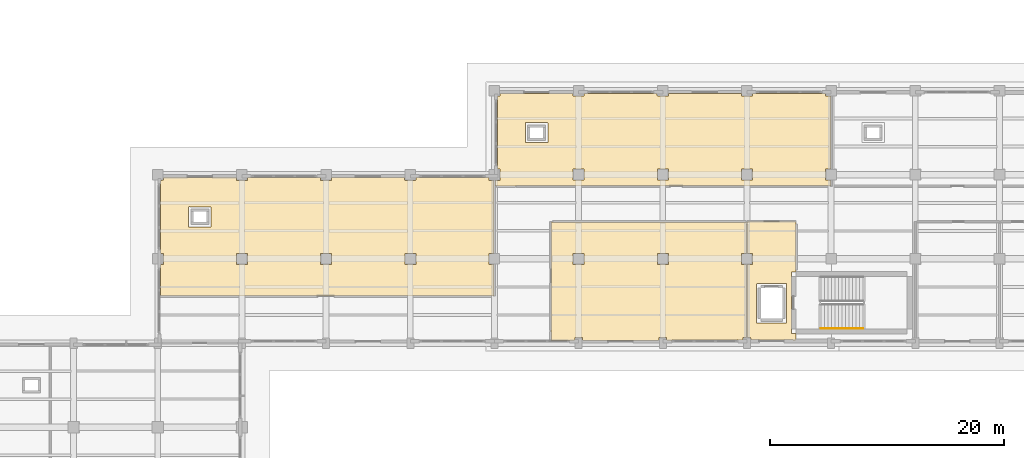
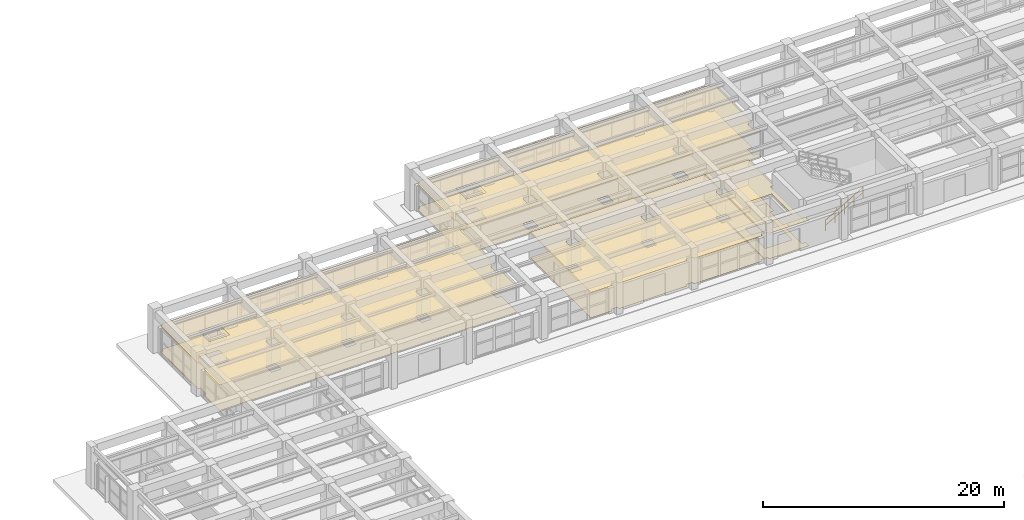
# One storey, part 60 of 64: 8 coverings, 1 railing.
"""IFC4 building model written with IfcOpenShell, lengths in metres."""

from ifc_helpers import new_model, si_unit, direction, frame, origin, origin_2d, place, context, subcontext, project, spatial, polyline, circle, outline, extrude, material, layer, layer_set, type_object, element, save


model = new_model("IFC4")

# Units and contexts
model_context = context("Model", 3, precision=1e-05, world=origin(), true_north=direction((0.0, 1.0)))
body_context = subcontext(model_context, "Body", "Model", "MODEL_VIEW")
ifc_project = project(units=[si_unit("LENGTHUNIT", "METRE"), si_unit("AREAUNIT", "SQUARE_METRE"), si_unit("VOLUMEUNIT", "CUBIC_METRE"), si_unit("PLANEANGLEUNIT", "RADIAN"), si_unit("MASSUNIT", "GRAM", prefix="KILO")], contexts=[model_context])

# Site, building, storey
site_placement = place(None, origin())
site = spatial("IfcSite", under=ifc_project, at=site_placement, CompositionType="ELEMENT")
building_placement = place(site_placement, origin())
building = spatial("IfcBuilding", under=site, at=building_placement, Name="Solenvale Faculty of Natural Sciences", CompositionType="ELEMENT")
storey_placement = place(building_placement, origin())
storey = spatial("IfcBuildingStorey", under=building, at=storey_placement, Name="L00", CompositionType="ELEMENT", Elevation=0.0)

# Coverings
ifc_material_1 = material(Name="Acoustic mineral-timber ceiling", Category="wood")
ifc_layer_1 = layer(ifc_material_1, 0.02490234375)
ifc_layer_set_1 = layer_set([ifc_layer_1], Name="Acoustic mineral-timber ceiling")
covering_type_1 = type_object("IfcCoveringType", Name="COV-CEIL-AC25", PredefinedType="CEILING", material=ifc_layer_set_1)
covering_1_placement = place(storey_placement, frame((0.0, 0.0, 2.574951171875)))
element("IfcCovering", 1, at=covering_1_placement, inside=storey, type_object=covering_type_1, Name="L00 Firefighting Lobby C4 Acoustic Ceiling", PredefinedType="CEILING", context=body_context, shape_type="SweptSolid", body=[
    extrude(outline(polyline([(104.97998046875, 99.7099609375), (104.952880859375, 99.679931640625), (104.64501953125, 99.679931640625), (104.6201171875, 99.64990234375), (104.6201171875, 94.447998046875), (104.64599609375, 94.419921875), (104.949951171875, 94.419921875), (104.97607421875, 94.404052734375), (104.97509765625, 93.85302734375), (104.949951171875, 93.840087890625), (101.137939453125, 93.844970703125), (101.125, 93.866943359375), (101.12109375, 94.072998046875), (100.846923828125, 94.074951171875), (100.820068359375, 94.10205078125), (100.820068359375, 100.294921875), (100.846923828125, 100.324951171875), (101.27392578125, 100.3310546875), (101.27490234375, 101.263916015625), (101.263916015625, 101.27490234375), (100.846923828125, 101.27490234375), (100.821044921875, 101.299072265625), (100.820068359375, 103.949951171875), (100.8291015625, 103.970947265625), (100.85009765625, 103.97998046875), (104.949951171875, 103.97998046875), (104.970947265625, 103.970947265625), (104.97998046875, 103.949951171875), (104.97998046875, 99.7099609375)]), holes=[polyline([(104.179931640625, 98.652099609375), (104.169921875, 98.672119140625), (104.14990234375, 98.679931640625), (101.64990234375, 98.679931640625), (101.6259765625, 98.66796875), (101.6201171875, 95.35009765625), (101.632080078125, 95.325927734375), (104.14990234375, 95.320068359375), (104.174072265625, 95.33203125), (104.179931640625, 98.652099609375)])]), origin(), (0.0, 0.0, 1.0), 0.025146484375),
])
covering_2_placement = place(storey_placement, frame((0.0, 0.0, 2.574951171875)))
element("IfcCovering", 2, at=covering_2_placement, inside=storey, type_object=covering_type_1, Name="L00 Environmental Teaching Laboratory Acoustic Ceiling", PredefinedType="CEILING", context=body_context, shape_type="SweptSolid", body=[
    extrude(outline(polyline([(57.094970703125, 107.760009765625), (57.1240234375, 107.736083984375), (57.125, 107.533935546875), (57.135986328125, 107.52490234375), (58.06689453125, 107.52490234375), (58.075927734375, 107.736083984375), (58.10498046875, 107.760009765625), (64.294921875, 107.760009765625), (64.323974609375, 107.736083984375), (64.324951171875, 107.533935546875), (64.3359375, 107.52490234375), (65.26708984375, 107.52490234375), (65.27587890625, 107.736083984375), (65.304931640625, 107.760009765625), (71.4951171875, 107.760009765625), (71.52392578125, 107.736083984375), (71.52490234375, 107.533935546875), (71.535888671875, 107.52490234375), (72.467041015625, 107.52490234375), (72.47607421875, 107.736083984375), (72.5048828125, 107.760009765625), (78.7060546875, 107.758056640625), (78.72509765625, 107.73291015625), (78.72998046875, 107.52587890625), (79.153076171875, 107.52490234375), (79.179931640625, 107.4951171875), (79.179931640625, 101.302001953125), (79.153076171875, 101.27490234375), (78.736083984375, 101.27490234375), (78.72509765625, 101.263916015625), (78.72607421875, 100.3310546875), (79.153076171875, 100.324951171875), (79.179931640625, 100.298095703125), (79.177978515625, 97.658935546875), (79.14990234375, 97.639892578125), (50.653076171875, 97.64501953125), (50.639892578125, 97.669921875), (50.639892578125, 100.298095703125), (50.6640625, 100.323974609375), (50.875, 100.3330078125), (50.875, 101.263916015625), (50.865966796875, 101.27490234375), (50.6640625, 101.27587890625), (50.639892578125, 101.304931640625), (50.64501953125, 107.511962890625), (50.6669921875, 107.52490234375), (50.8720703125, 107.528076171875), (50.875, 107.73291015625), (50.905029296875, 107.760009765625), (57.094970703125, 107.760009765625)]), holes=[polyline([(72.47509765625, 101.263916015625), (72.464111328125, 101.27490234375), (71.528076171875, 101.27197265625), (71.528076171875, 100.327880859375), (72.471923828125, 100.327880859375), (72.47509765625, 101.263916015625)]), polyline([(64.3359375, 101.27490234375), (64.324951171875, 101.263916015625), (64.327880859375, 100.327880859375), (65.27197265625, 100.327880859375), (65.27197265625, 101.27197265625), (64.3359375, 101.27490234375)]), polyline([(58.074951171875, 101.263916015625), (58.06396484375, 101.27490234375), (57.1279296875, 101.27197265625), (57.1279296875, 100.327880859375), (58.072021484375, 100.327880859375), (58.074951171875, 101.263916015625)]), polyline([(54.931884765625, 103.5400390625), (54.951904296875, 103.550048828125), (54.9599609375, 103.570068359375), (54.9599609375, 105.22998046875), (54.949951171875, 105.251953125), (53.070068359375, 105.260009765625), (53.048095703125, 105.25), (53.0400390625, 103.570068359375), (53.050048828125, 103.548095703125), (54.931884765625, 103.5400390625)])]), origin(), (0.0, 0.0, 1.0), 0.025146484375),
])
covering_3_placement = place(storey_placement, frame((0.0, 0.0, 2.574951171875)))
element("IfcCovering", 3, at=covering_3_placement, inside=storey, type_object=covering_type_1, Name="L00 Faculty Staff Office Acoustic Ceiling", PredefinedType="CEILING", context=body_context, shape_type="SweptSolid", body=[
    extrude(outline(polyline([(79.43994140625, 114.695068359375), (79.467041015625, 114.72509765625), (79.672119140625, 114.72802734375), (79.675048828125, 114.93310546875), (79.705078125, 114.9599609375), (85.89501953125, 114.9599609375), (85.924072265625, 114.93603515625), (85.925048828125, 114.73388671875), (85.93603515625, 114.72509765625), (86.866943359375, 114.72509765625), (86.8759765625, 114.93603515625), (86.905029296875, 114.9599609375), (93.094970703125, 114.9599609375), (93.1240234375, 114.93603515625), (93.125, 114.73388671875), (93.135986328125, 114.72509765625), (94.06689453125, 114.72509765625), (94.075927734375, 114.93603515625), (94.10498046875, 114.9599609375), (100.294921875, 114.9599609375), (100.323974609375, 114.93603515625), (100.324951171875, 114.73388671875), (100.3359375, 114.72509765625), (101.26708984375, 114.72509765625), (101.27587890625, 114.93603515625), (101.304931640625, 114.9599609375), (107.50390625, 114.958984375), (107.52490234375, 114.93310546875), (107.530029296875, 114.72607421875), (107.952880859375, 114.72509765625), (107.97998046875, 114.697998046875), (107.97998046875, 108.501953125), (107.952880859375, 108.47509765625), (107.535888671875, 108.47509765625), (107.52490234375, 108.464111328125), (107.52490234375, 107.531982421875), (107.949951171875, 107.52490234375), (107.970947265625, 107.51611328125), (107.97998046875, 107.4951171875), (107.97900390625, 107.06103515625), (107.949951171875, 107.0400390625), (81.0, 107.0400390625), (80.950927734375, 107.02001953125), (79.260986328125, 107.02099609375), (79.239990234375, 107.050048828125), (79.2470703125, 107.513916015625), (79.27001953125, 107.52490234375), (79.666015625, 107.52490234375), (79.675048828125, 107.535888671875), (79.675048828125, 108.467041015625), (79.464111328125, 108.47607421875), (79.43994140625, 108.5048828125), (79.43994140625, 114.695068359375)]), holes=[polyline([(100.3359375, 108.47509765625), (100.324951171875, 108.464111328125), (100.327880859375, 107.528076171875), (101.27197265625, 107.528076171875), (101.27197265625, 108.471923828125), (100.3359375, 108.47509765625)]), polyline([(94.074951171875, 108.464111328125), (94.06396484375, 108.47509765625), (93.1279296875, 108.471923828125), (93.1279296875, 107.528076171875), (94.072021484375, 107.528076171875), (94.074951171875, 108.464111328125)]), polyline([(86.875, 108.464111328125), (86.864013671875, 108.47509765625), (85.927978515625, 108.471923828125), (85.927978515625, 107.528076171875), (86.8720703125, 107.528076171875), (86.875, 108.464111328125)]), polyline([(83.73193359375, 110.739990234375), (83.751953125, 110.75), (83.760009765625, 110.77001953125), (83.760009765625, 112.429931640625), (83.75, 112.451904296875), (81.8701171875, 112.4599609375), (81.847900390625, 112.449951171875), (81.840087890625, 110.77001953125), (81.85009765625, 110.748046875), (83.73193359375, 110.739990234375)])]), origin(), (0.0, 0.0, 1.0), 0.025146484375),
])
covering_4_placement = place(storey_placement, frame((0.0, 0.0, 2.574951171875)))
element("IfcCovering", 4, at=covering_4_placement, inside=storey, type_object=covering_type_1, Name="L00 Seminar Room Acoustic Ceiling", PredefinedType="CEILING", context=body_context, shape_type="SweptSolid", body=[
    extrude(outline(polyline([(84.02001953125, 94.551025390625), (84.0400390625, 94.60009765625), (84.0400390625, 103.929931640625), (84.055908203125, 103.9560546875), (100.72998046875, 103.9599609375), (100.756103515625, 103.944091796875), (100.759033203125, 101.299072265625), (100.73291015625, 101.27490234375), (100.3359375, 101.27490234375), (100.324951171875, 101.263916015625), (100.325927734375, 100.3310546875), (100.73291015625, 100.324951171875), (100.760009765625, 100.294921875), (100.760009765625, 95.0), (100.780029296875, 94.950927734375), (100.780029296875, 94.10498046875), (100.7529296875, 94.074951171875), (100.47900390625, 94.072998046875), (100.47509765625, 93.866943359375), (100.458984375, 93.843994140625), (93.955078125, 93.840087890625), (93.926025390625, 93.864013671875), (93.91796875, 94.074951171875), (93.285888671875, 94.074951171875), (93.27490234375, 94.06591796875), (93.27392578125, 93.864013671875), (93.2451171875, 93.840087890625), (86.7548828125, 93.840087890625), (86.72607421875, 93.864013671875), (86.718017578125, 94.074951171875), (86.0859375, 94.074951171875), (86.074951171875, 94.06591796875), (86.073974609375, 93.864013671875), (86.048095703125, 93.840087890625), (84.050048828125, 93.840087890625), (84.029052734375, 93.84912109375), (84.02001953125, 93.8701171875), (84.02001953125, 94.551025390625)]), holes=[polyline([(94.074951171875, 101.263916015625), (94.06396484375, 101.27490234375), (93.1279296875, 101.27197265625), (93.1279296875, 100.327880859375), (94.072021484375, 100.327880859375), (94.074951171875, 101.263916015625)]), polyline([(85.93603515625, 101.27490234375), (85.925048828125, 101.263916015625), (85.927978515625, 100.327880859375), (86.8720703125, 100.327880859375), (86.8720703125, 101.27197265625), (85.93603515625, 101.27490234375)])]), origin(), (0.0, 0.0, 1.0), 0.025146484375),
])
ifc_material_2 = material(Name="Polished slate terrazzo flooring", Category="masonry")
ifc_layer_2 = layer(ifc_material_2, 0.01806640625)
ifc_layer_set_2 = layer_set([ifc_layer_2], Name="Polished slate terrazzo flooring")
covering_type_2 = type_object("IfcCoveringType", Name="COV-FLR-TRZ18", PredefinedType="FLOORING", material=ifc_layer_set_2)
covering_5_placement = place(storey_placement, origin())
element("IfcCovering", 5, at=covering_5_placement, inside=storey, type_object=covering_type_2, Name="L00 Firefighting Lobby C4 Floor Finish", PredefinedType="FLOORING", context=body_context, shape_type="SweptSolid", body=[
    extrude(outline(polyline([(104.97998046875, 99.7099609375), (104.952880859375, 99.679931640625), (104.64501953125, 99.679931640625), (104.6201171875, 99.64990234375), (104.6201171875, 94.447998046875), (104.64599609375, 94.419921875), (104.949951171875, 94.419921875), (104.97607421875, 94.404052734375), (104.97509765625, 93.85302734375), (104.949951171875, 93.840087890625), (101.137939453125, 93.844970703125), (101.125, 93.866943359375), (101.12109375, 94.072998046875), (100.846923828125, 94.074951171875), (100.820068359375, 94.10205078125), (100.820068359375, 100.294921875), (100.846923828125, 100.324951171875), (101.27392578125, 100.3310546875), (101.27490234375, 101.263916015625), (101.263916015625, 101.27490234375), (100.846923828125, 101.27490234375), (100.821044921875, 101.299072265625), (100.820068359375, 103.949951171875), (100.8291015625, 103.970947265625), (100.85009765625, 103.97998046875), (104.949951171875, 103.97998046875), (104.970947265625, 103.970947265625), (104.97998046875, 103.949951171875), (104.97998046875, 99.7099609375)]), holes=[polyline([(104.179931640625, 98.652099609375), (104.169921875, 98.672119140625), (104.14990234375, 98.679931640625), (101.64990234375, 98.679931640625), (101.6259765625, 98.66796875), (101.6201171875, 95.35009765625), (101.632080078125, 95.325927734375), (104.14990234375, 95.320068359375), (104.174072265625, 95.33203125), (104.179931640625, 98.652099609375)])]), origin(), (0.0, 0.0, 1.0), 0.01806640625),
])
covering_6_placement = place(storey_placement, origin())
element("IfcCovering", 6, at=covering_6_placement, inside=storey, type_object=covering_type_2, Name="L00 Faculty Staff Office Floor Finish", PredefinedType="FLOORING", context=body_context, shape_type="SweptSolid", body=[
    extrude(outline(polyline([(79.43994140625, 114.695068359375), (79.467041015625, 114.72509765625), (79.672119140625, 114.72802734375), (79.675048828125, 114.93310546875), (79.705078125, 114.9599609375), (85.89501953125, 114.9599609375), (85.924072265625, 114.93603515625), (85.925048828125, 114.73388671875), (85.93603515625, 114.72509765625), (86.866943359375, 114.72509765625), (86.8759765625, 114.93603515625), (86.905029296875, 114.9599609375), (93.094970703125, 114.9599609375), (93.1240234375, 114.93603515625), (93.125, 114.73388671875), (93.135986328125, 114.72509765625), (94.06689453125, 114.72509765625), (94.075927734375, 114.93603515625), (94.10498046875, 114.9599609375), (100.294921875, 114.9599609375), (100.323974609375, 114.93603515625), (100.324951171875, 114.73388671875), (100.3359375, 114.72509765625), (101.26708984375, 114.72509765625), (101.27587890625, 114.93603515625), (101.304931640625, 114.9599609375), (107.50390625, 114.958984375), (107.52490234375, 114.93310546875), (107.530029296875, 114.72607421875), (107.952880859375, 114.72509765625), (107.97998046875, 114.697998046875), (107.97998046875, 108.501953125), (107.952880859375, 108.47509765625), (107.535888671875, 108.47509765625), (107.52490234375, 108.464111328125), (107.52490234375, 107.531982421875), (107.949951171875, 107.52490234375), (107.970947265625, 107.51611328125), (107.97998046875, 107.4951171875), (107.97900390625, 107.06103515625), (107.949951171875, 107.0400390625), (81.0, 107.0400390625), (80.950927734375, 107.02001953125), (79.260986328125, 107.02099609375), (79.239990234375, 107.050048828125), (79.2470703125, 107.513916015625), (79.27001953125, 107.52490234375), (79.666015625, 107.52490234375), (79.675048828125, 107.535888671875), (79.675048828125, 108.467041015625), (79.464111328125, 108.47607421875), (79.43994140625, 108.5048828125), (79.43994140625, 114.695068359375)]), holes=[polyline([(100.3359375, 108.47509765625), (100.324951171875, 108.464111328125), (100.327880859375, 107.528076171875), (101.27197265625, 107.528076171875), (101.27197265625, 108.471923828125), (100.3359375, 108.47509765625)]), polyline([(94.074951171875, 108.464111328125), (94.06396484375, 108.47509765625), (93.1279296875, 108.471923828125), (93.1279296875, 107.528076171875), (94.072021484375, 107.528076171875), (94.074951171875, 108.464111328125)]), polyline([(86.875, 108.464111328125), (86.864013671875, 108.47509765625), (85.927978515625, 108.471923828125), (85.927978515625, 107.528076171875), (86.8720703125, 107.528076171875), (86.875, 108.464111328125)]), polyline([(83.73193359375, 110.739990234375), (83.751953125, 110.75), (83.760009765625, 110.77001953125), (83.760009765625, 112.429931640625), (83.75, 112.451904296875), (81.8701171875, 112.4599609375), (81.847900390625, 112.449951171875), (81.840087890625, 110.77001953125), (81.85009765625, 110.748046875), (83.73193359375, 110.739990234375)])]), origin(), (0.0, 0.0, 1.0), 0.01806640625),
])
covering_7_placement = place(storey_placement, origin())
element("IfcCovering", 7, at=covering_7_placement, inside=storey, type_object=covering_type_2, Name="L00 Seminar Room Floor Finish", PredefinedType="FLOORING", context=body_context, shape_type="SweptSolid", body=[
    extrude(outline(polyline([(84.02001953125, 94.551025390625), (84.0400390625, 94.60009765625), (84.0400390625, 103.929931640625), (84.055908203125, 103.9560546875), (100.72998046875, 103.9599609375), (100.756103515625, 103.944091796875), (100.759033203125, 101.299072265625), (100.73291015625, 101.27490234375), (100.3359375, 101.27490234375), (100.324951171875, 101.263916015625), (100.325927734375, 100.3310546875), (100.73291015625, 100.324951171875), (100.760009765625, 100.294921875), (100.760009765625, 95.0), (100.780029296875, 94.950927734375), (100.780029296875, 94.10498046875), (100.7529296875, 94.074951171875), (100.47900390625, 94.072998046875), (100.47509765625, 93.866943359375), (100.458984375, 93.843994140625), (93.955078125, 93.840087890625), (93.926025390625, 93.864013671875), (93.91796875, 94.074951171875), (93.285888671875, 94.074951171875), (93.27490234375, 94.06591796875), (93.27392578125, 93.864013671875), (93.2451171875, 93.840087890625), (86.7548828125, 93.840087890625), (86.72607421875, 93.864013671875), (86.718017578125, 94.074951171875), (86.0859375, 94.074951171875), (86.074951171875, 94.06591796875), (86.073974609375, 93.864013671875), (86.048095703125, 93.840087890625), (84.050048828125, 93.840087890625), (84.029052734375, 93.84912109375), (84.02001953125, 93.8701171875), (84.02001953125, 94.551025390625)]), holes=[polyline([(94.074951171875, 101.263916015625), (94.06396484375, 101.27490234375), (93.1279296875, 101.27197265625), (93.1279296875, 100.327880859375), (94.072021484375, 100.327880859375), (94.074951171875, 101.263916015625)]), polyline([(85.93603515625, 101.27490234375), (85.925048828125, 101.263916015625), (85.927978515625, 100.327880859375), (86.8720703125, 100.327880859375), (86.8720703125, 101.27197265625), (85.93603515625, 101.27490234375)])]), origin(), (0.0, 0.0, 1.0), 0.01806640625),
])
ifc_material_3 = material(Name="Seamless laboratory vinyl flooring")
ifc_layer_3 = layer(ifc_material_3, 0.008056640625)
ifc_layer_set_3 = layer_set([ifc_layer_3], Name="Seamless laboratory vinyl flooring")
covering_type_3 = type_object("IfcCoveringType", Name="COV-FLR-VNL08", PredefinedType="FLOORING", material=ifc_layer_set_3)
covering_8_placement = place(storey_placement, origin())
element("IfcCovering", 8, at=covering_8_placement, inside=storey, type_object=covering_type_3, Name="L00 Environmental Teaching Laboratory Floor Finish", PredefinedType="FLOORING", context=body_context, shape_type="SweptSolid", body=[
    extrude(outline(polyline([(57.094970703125, 107.760009765625), (57.1240234375, 107.736083984375), (57.125, 107.533935546875), (57.135986328125, 107.52490234375), (58.06689453125, 107.52490234375), (58.075927734375, 107.736083984375), (58.10498046875, 107.760009765625), (64.294921875, 107.760009765625), (64.323974609375, 107.736083984375), (64.324951171875, 107.533935546875), (64.3359375, 107.52490234375), (65.26708984375, 107.52490234375), (65.27587890625, 107.736083984375), (65.304931640625, 107.760009765625), (71.4951171875, 107.760009765625), (71.52392578125, 107.736083984375), (71.52490234375, 107.533935546875), (71.535888671875, 107.52490234375), (72.467041015625, 107.52490234375), (72.47607421875, 107.736083984375), (72.5048828125, 107.760009765625), (78.7060546875, 107.758056640625), (78.72509765625, 107.73291015625), (78.72998046875, 107.52587890625), (79.153076171875, 107.52490234375), (79.179931640625, 107.4951171875), (79.179931640625, 101.302001953125), (79.153076171875, 101.27490234375), (78.736083984375, 101.27490234375), (78.72509765625, 101.263916015625), (78.72607421875, 100.3310546875), (79.153076171875, 100.324951171875), (79.179931640625, 100.298095703125), (79.177978515625, 97.658935546875), (79.14990234375, 97.639892578125), (50.653076171875, 97.64501953125), (50.639892578125, 97.669921875), (50.639892578125, 100.298095703125), (50.6640625, 100.323974609375), (50.875, 100.3330078125), (50.875, 101.263916015625), (50.865966796875, 101.27490234375), (50.6640625, 101.27587890625), (50.639892578125, 101.304931640625), (50.64501953125, 107.511962890625), (50.6669921875, 107.52490234375), (50.8720703125, 107.528076171875), (50.875, 107.73291015625), (50.905029296875, 107.760009765625), (57.094970703125, 107.760009765625)]), holes=[polyline([(72.47509765625, 101.263916015625), (72.464111328125, 101.27490234375), (71.528076171875, 101.27197265625), (71.528076171875, 100.327880859375), (72.471923828125, 100.327880859375), (72.47509765625, 101.263916015625)]), polyline([(64.3359375, 101.27490234375), (64.324951171875, 101.263916015625), (64.327880859375, 100.327880859375), (65.27197265625, 100.327880859375), (65.27197265625, 101.27197265625), (64.3359375, 101.27490234375)]), polyline([(58.074951171875, 101.263916015625), (58.06396484375, 101.27490234375), (57.1279296875, 101.27197265625), (57.1279296875, 100.327880859375), (58.072021484375, 100.327880859375), (58.074951171875, 101.263916015625)]), polyline([(54.931884765625, 103.5400390625), (54.951904296875, 103.550048828125), (54.9599609375, 103.570068359375), (54.9599609375, 105.22998046875), (54.949951171875, 105.251953125), (53.070068359375, 105.260009765625), (53.048095703125, 105.25), (53.0400390625, 103.570068359375), (53.050048828125, 103.548095703125), (54.931884765625, 103.5400390625)])]), origin(), (0.0, 0.0, 1.0), 0.008056640625),
])

# Railing
ifc_material_4 = material(Name="Stainless steel Grade 304", Category="steel")
railing_type = type_object("IfcRailingType", Name="RL-HND-900", PredefinedType="HANDRAIL", material=ifc_material_4)
railing_placement = place(storey_placement, frame((107.139892578125, 94.85009765625, 0.173095703125)))
element("IfcRailing", 9, at=railing_placement, inside=storey, type_object=railing_type, Name="L00 ST-04 stair handrail 1", PredefinedType="HANDRAIL", context=body_context, shape_type="SweptSolid", body=[
    extrude(circle(Radius=0.02392578125, at=origin_2d()), frame((0.0, 0.0, 1.0732421875), z_axis=(0.866193409371, 0.0, 0.499708892819), x_axis=(0.0, 1.0, 0.0)), (0.0, 0.0, 1.0), 4.15625),
    extrude(circle(Radius=0.01611328125, at=origin_2d()), frame((0.0, 0.0, 0.548583984375), z_axis=(0.866193409371, 0.0, 0.499708892819), x_axis=(0.0, 1.0, 0.0)), (0.0, 0.0, 1.0), 4.15625),
    extrude(circle(Radius=0.02099609375, at=origin_2d()), origin(), (0.0, 0.0, 1.0), 1.049072265625),
    extrude(circle(Radius=0.02099609375, at=origin_2d()), frame((0.89990234375, 0.0, 0.519287109375)), (0.0, 0.0, 1.0), 1.049072265625),
    extrude(circle(Radius=0.02099609375, at=origin_2d()), frame((1.800048828125, 0.0, 1.03857421875)), (0.0, 0.0, 1.0), 1.049072265625),
    extrude(circle(Radius=0.02099609375, at=origin_2d()), frame((2.7001953125, 0.0, 1.5576171875)), (0.0, 0.0, 1.0), 1.049072265625),
    extrude(circle(Radius=0.02099609375, at=origin_2d()), frame((3.60009765625, 0.0, 2.076904296875)), (0.0, 0.0, 1.0), 1.049072265625),
])

save(model, "model.ifc")
